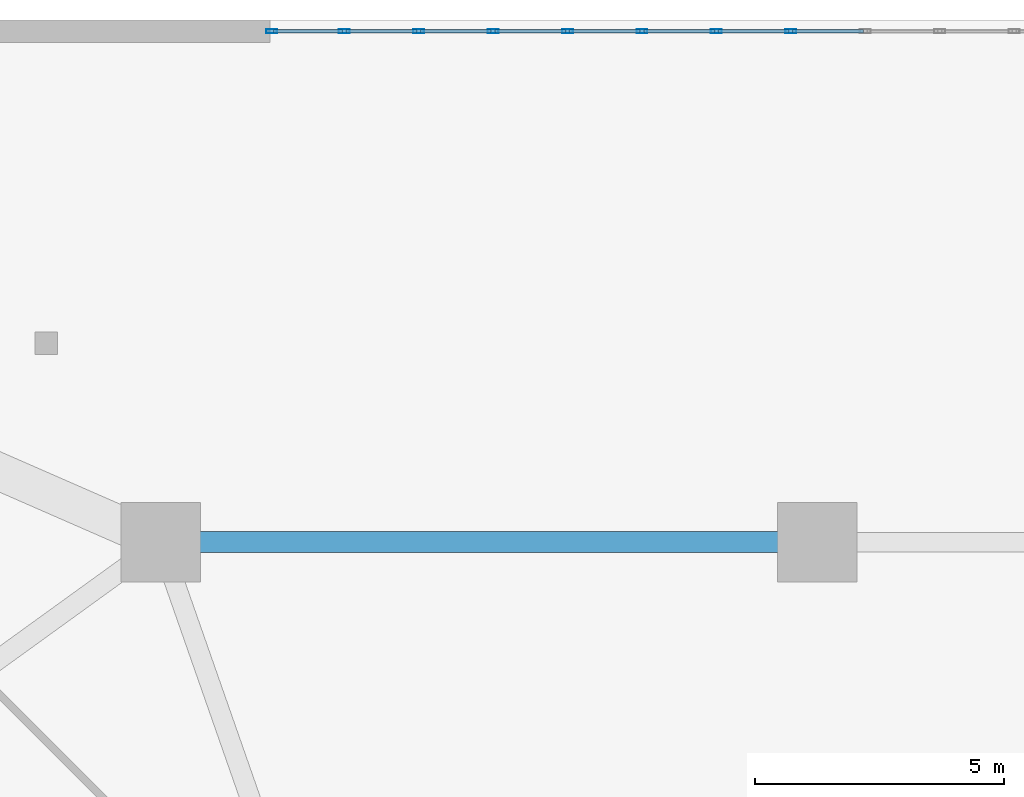
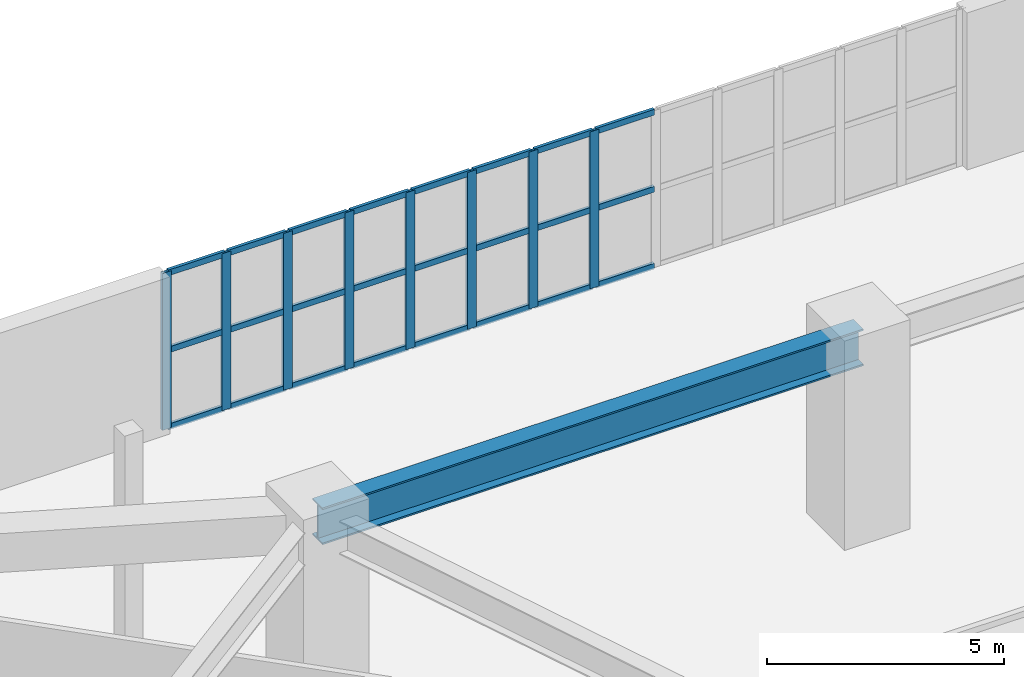
# One storey, part 18 of 34: 32 members, 1 beam, 1 element without a shape of its own.
"""IFC4 building model written with IfcOpenShell, lengths in metres."""

from ifc_helpers import new_model, si_unit, direction, frame, origin, origin_2d, place, context, subcontext, project, spatial, hollow_rectangle, i_section, extrude, material, layer, layer_set, material_profile, profile_set, type_object, element, aggregate, save


model = new_model("IFC4")

# Units and contexts
model_context = context("Model", 3, precision=1e-05, world=origin(), true_north=direction((0.0, 1.0)))
body_context = subcontext(model_context, "Body", "Model", "MODEL_VIEW")
ifc_project = project(units=[si_unit("LENGTHUNIT", "METRE"), si_unit("AREAUNIT", "SQUARE_METRE"), si_unit("VOLUMEUNIT", "CUBIC_METRE"), si_unit("PLANEANGLEUNIT", "RADIAN"), si_unit("MASSUNIT", "GRAM", prefix="KILO")], contexts=[model_context])

# Site, building, storey
site_placement = place(None, origin())
site = spatial("IfcSite", under=ifc_project, at=site_placement, CompositionType="ELEMENT")
building_placement = place(site_placement, origin())
building = spatial("IfcBuilding", under=site, at=building_placement, Name="Kilnhurst Terrace Hotel", CompositionType="ELEMENT")
storey_placement = place(building_placement, frame((0.0, 0.0, 6.0)))
storey = spatial("IfcBuildingStorey", under=building, at=storey_placement, Name="L01", CompositionType="ELEMENT", Elevation=6.0)

# Beam
ifc_material_1 = material(Name="Steel ASTM A992 Grade 50", Category="steel")
ifc_material_profile_1 = material_profile(ifc_material_1, i_section(OverallWidth=0.423095703125, OverallDepth=0.9482421875, WebThickness=0.02392578125, FlangeThickness=0.042724609375, at=origin_2d()), Name="W36X302")
ifc_profile_set_1 = profile_set([ifc_material_profile_1], Name="Steel ASTM A992 Grade 50")
beam_type = type_object("IfcBeamType", Name="BM-STL-W36X302", PredefinedType="BEAM", material=ifc_profile_set_1)
beam_placement = place(storey_placement, frame((-13.199951171875, 19.5, 4.60595703125), z_axis=(1.0, 0.0, 0.0), x_axis=(0.0, 1.0, 0.0)))
element("IfcBeam", 1, at=beam_placement, inside=storey, type_object=beam_type, Name="L01 Podium Frame Beam 4", PredefinedType="BEAM", context=body_context, shape_type="SweptSolid", body=[
    extrude(i_section(OverallWidth=0.423095703125, OverallDepth=0.9482421875, WebThickness=0.02392578125, FlangeThickness=0.042724609375, at=origin_2d()), origin(), (0.0, 0.0, 1.0), 13.199951171875),
])

# Curtain wall, members
ifc_material_2 = material(Name="Anodized Aluminium Alloy 6063-T6 and Low-E Glass", Category="aluminium")
ifc_layer = layer(ifc_material_2, 0.219970703125, Name="Anodized Aluminium Alloy 6063-T6 and Low-E Glass")
ifc_layer_set = layer_set([ifc_layer], Name="Anodized Aluminium Alloy 6063-T6 and Low-E Glass")
curtain_wall_type = type_object("IfcCurtainWallType", Name="CW-POD-LOBBY", PredefinedType="NOTDEFINED", material=ifc_layer_set)
curtain_wall_placement = place(storey_placement, origin())
curtain_wall = element("IfcCurtainWall", 2, at=curtain_wall_placement, inside=storey, type_object=curtain_wall_type, Name="L01 Curtain Wall CW-L01-F4-1", PredefinedType="NOTDEFINED")
ifc_material_3 = material(Name="Extruded Aluminium Alloy 6063-T6", Category="aluminium")
ifc_material_profile_2 = material_profile(ifc_material_3, hollow_rectangle(XDim=0.074951171875, YDim=0.219970703125, WallThickness=0.00390625, at=origin_2d()), Name="CWM75X220")
ifc_profile_set_2 = profile_set([ifc_material_profile_2], Name="Extruded Aluminium Alloy 6063-T6")
member_type_1 = type_object("IfcMemberType", Name="MEM-CWM75X220", PredefinedType="MULLION", material=ifc_profile_set_2)
member_1_placement = place(storey_placement, frame((-0.52734375, 29.77490234375, 0.0), z_axis=(0.0, 0.0, 1.0), x_axis=(0.0, -1.0, 0.0)))
member_1 = element("IfcMember", 3, at=member_1_placement, type_object=member_type_1, Name="CWL-1 mullion 7", PredefinedType="MULLION", context=body_context, shape_type="SweptSolid", body=[
    extrude(hollow_rectangle(XDim=0.074951171875, YDim=0.219970703125, WallThickness=0.00390625, at=origin_2d()), origin(), (0.0, 0.0, 1.0), 4.050048828125),
])
member_2_placement = place(storey_placement, frame((-2.02392578125, 29.77490234375, 0.0), z_axis=(0.0, 0.0, 1.0), x_axis=(0.0, -1.0, 0.0)))
member_2 = element("IfcMember", 4, at=member_2_placement, type_object=member_type_1, Name="CWL-1 mullion 8", PredefinedType="MULLION", context=body_context, shape_type="SweptSolid", body=[
    extrude(hollow_rectangle(XDim=0.074951171875, YDim=0.219970703125, WallThickness=0.00390625, at=origin_2d()), origin(), (0.0, 0.0, 1.0), 4.050048828125),
])
member_3_placement = place(storey_placement, frame((-3.520751953125, 29.77490234375, 0.0), z_axis=(0.0, 0.0, 1.0), x_axis=(0.0, -1.0, 0.0)))
member_3 = element("IfcMember", 5, at=member_3_placement, type_object=member_type_1, Name="CWL-1 mullion 9", PredefinedType="MULLION", context=body_context, shape_type="SweptSolid", body=[
    extrude(hollow_rectangle(XDim=0.074951171875, YDim=0.219970703125, WallThickness=0.00390625, at=origin_2d()), origin(), (0.0, 0.0, 1.0), 4.050048828125),
])
member_4_placement = place(storey_placement, frame((-5.017333984375, 29.77490234375, 0.0), z_axis=(0.0, 0.0, 1.0), x_axis=(0.0, -1.0, 0.0)))
member_4 = element("IfcMember", 6, at=member_4_placement, type_object=member_type_1, Name="CWL-1 mullion 10", PredefinedType="MULLION", context=body_context, shape_type="SweptSolid", body=[
    extrude(hollow_rectangle(XDim=0.074951171875, YDim=0.219970703125, WallThickness=0.00390625, at=origin_2d()), origin(), (0.0, 0.0, 1.0), 4.050048828125),
])
member_5_placement = place(storey_placement, frame((-6.513916015625, 29.77490234375, 0.0), z_axis=(0.0, 0.0, 1.0), x_axis=(0.0, -1.0, 0.0)))
member_5 = element("IfcMember", 7, at=member_5_placement, type_object=member_type_1, Name="CWL-1 mullion 11", PredefinedType="MULLION", context=body_context, shape_type="SweptSolid", body=[
    extrude(hollow_rectangle(XDim=0.074951171875, YDim=0.219970703125, WallThickness=0.00390625, at=origin_2d()), origin(), (0.0, 0.0, 1.0), 4.050048828125),
])
member_6_placement = place(storey_placement, frame((-8.0107421875, 29.77490234375, 0.0), z_axis=(0.0, 0.0, 1.0), x_axis=(0.0, -1.0, 0.0)))
member_6 = element("IfcMember", 8, at=member_6_placement, type_object=member_type_1, Name="CWL-1 mullion 12", PredefinedType="MULLION", context=body_context, shape_type="SweptSolid", body=[
    extrude(hollow_rectangle(XDim=0.074951171875, YDim=0.219970703125, WallThickness=0.00390625, at=origin_2d()), origin(), (0.0, 0.0, 1.0), 4.050048828125),
])
member_7_placement = place(storey_placement, frame((-9.50732421875, 29.77490234375, 0.0), z_axis=(0.0, 0.0, 1.0), x_axis=(0.0, -1.0, 0.0)))
member_7 = element("IfcMember", 9, at=member_7_placement, type_object=member_type_1, Name="CWL-1 mullion 13", PredefinedType="MULLION", context=body_context, shape_type="SweptSolid", body=[
    extrude(hollow_rectangle(XDim=0.074951171875, YDim=0.219970703125, WallThickness=0.00390625, at=origin_2d()), origin(), (0.0, 0.0, 1.0), 4.050048828125),
])
member_8_placement = place(storey_placement, frame((-10.966552734375, 29.77490234375, 0.0), z_axis=(0.0, 0.0, 1.0), x_axis=(0.0, -1.0, 0.0)))
member_8 = element("IfcMember", 10, at=member_8_placement, type_object=member_type_1, Name="CWL-1 mullion 14", PredefinedType="MULLION", context=body_context, shape_type="SweptSolid", body=[
    extrude(hollow_rectangle(XDim=0.074951171875, YDim=0.219970703125, WallThickness=0.00390625, at=origin_2d()), origin(), (0.0, 0.0, 1.0), 4.050048828125),
])
ifc_material_profile_3 = material_profile(ifc_material_3, hollow_rectangle(XDim=0.074951171875, YDim=0.14990234375, WallThickness=0.00390625, at=origin_2d()), Name="CWT75X150")
ifc_profile_set_3 = profile_set([ifc_material_profile_3], Name="Extruded Aluminium Alloy 6063-T6")
member_type_2 = type_object("IfcMemberType", Name="MEM-CWT75X150", PredefinedType="USERDEFINED", material=ifc_profile_set_3)
member_9_placement = place(storey_placement, frame((0.931884765625, 29.77490234375, 0.03759765625), z_axis=(-1.0, 0.0, 0.0), x_axis=(0.0, -1.0, 0.0)))
member_9 = element("IfcMember", 11, at=member_9_placement, type_object=member_type_2, Name="CWL-1 transom 6.1", ObjectType="TRANSOM", PredefinedType="USERDEFINED", context=body_context, shape_type="SweptSolid", body=[
    extrude(hollow_rectangle(XDim=0.074951171875, YDim=0.14990234375, WallThickness=0.00390625, at=origin_2d()), origin(), (0.0, 0.0, 1.0), 1.421630859375),
])
member_10_placement = place(storey_placement, frame((0.931884765625, 29.77490234375, 2.02490234375), z_axis=(-1.0, 0.0, 0.0), x_axis=(0.0, -1.0, 0.0)))
member_10 = element("IfcMember", 12, at=member_10_placement, type_object=member_type_2, Name="CWL-1 transom 6.2", ObjectType="TRANSOM", PredefinedType="USERDEFINED", context=body_context, shape_type="SweptSolid", body=[
    extrude(hollow_rectangle(XDim=0.074951171875, YDim=0.14990234375, WallThickness=0.00390625, at=origin_2d()), origin(), (0.0, 0.0, 1.0), 1.421630859375),
])
member_11_placement = place(storey_placement, frame((0.931884765625, 29.77490234375, 4.012451171875), z_axis=(-1.0, 0.0, 0.0), x_axis=(0.0, -1.0, 0.0)))
member_11 = element("IfcMember", 13, at=member_11_placement, type_object=member_type_2, Name="CWL-1 transom 6.3", ObjectType="TRANSOM", PredefinedType="USERDEFINED", context=body_context, shape_type="SweptSolid", body=[
    extrude(hollow_rectangle(XDim=0.074951171875, YDim=0.14990234375, WallThickness=0.00390625, at=origin_2d()), origin(), (0.0, 0.0, 1.0), 1.421630859375),
])
member_12_placement = place(storey_placement, frame((-0.564697265625, 29.77490234375, 0.03759765625), z_axis=(-1.0, 0.0, 0.0), x_axis=(0.0, -1.0, 0.0)))
member_12 = element("IfcMember", 14, at=member_12_placement, type_object=member_type_2, Name="CWL-1 transom 7.1", ObjectType="TRANSOM", PredefinedType="USERDEFINED", context=body_context, shape_type="SweptSolid", body=[
    extrude(hollow_rectangle(XDim=0.074951171875, YDim=0.14990234375, WallThickness=0.00390625, at=origin_2d()), origin(), (0.0, 0.0, 1.0), 1.421630859375),
])
member_13_placement = place(storey_placement, frame((-0.564697265625, 29.77490234375, 2.02490234375), z_axis=(-1.0, 0.0, 0.0), x_axis=(0.0, -1.0, 0.0)))
member_13 = element("IfcMember", 15, at=member_13_placement, type_object=member_type_2, Name="CWL-1 transom 7.2", ObjectType="TRANSOM", PredefinedType="USERDEFINED", context=body_context, shape_type="SweptSolid", body=[
    extrude(hollow_rectangle(XDim=0.074951171875, YDim=0.14990234375, WallThickness=0.00390625, at=origin_2d()), origin(), (0.0, 0.0, 1.0), 1.421630859375),
])
member_14_placement = place(storey_placement, frame((-0.564697265625, 29.77490234375, 4.012451171875), z_axis=(-1.0, 0.0, 0.0), x_axis=(0.0, -1.0, 0.0)))
member_14 = element("IfcMember", 16, at=member_14_placement, type_object=member_type_2, Name="CWL-1 transom 7.3", ObjectType="TRANSOM", PredefinedType="USERDEFINED", context=body_context, shape_type="SweptSolid", body=[
    extrude(hollow_rectangle(XDim=0.074951171875, YDim=0.14990234375, WallThickness=0.00390625, at=origin_2d()), origin(), (0.0, 0.0, 1.0), 1.421630859375),
])
member_15_placement = place(storey_placement, frame((-2.0615234375, 29.77490234375, 0.03759765625), z_axis=(-1.0, 0.0, 0.0), x_axis=(0.0, -1.0, 0.0)))
member_15 = element("IfcMember", 17, at=member_15_placement, type_object=member_type_2, Name="CWL-1 transom 8.1", ObjectType="TRANSOM", PredefinedType="USERDEFINED", context=body_context, shape_type="SweptSolid", body=[
    extrude(hollow_rectangle(XDim=0.074951171875, YDim=0.14990234375, WallThickness=0.00390625, at=origin_2d()), origin(), (0.0, 0.0, 1.0), 1.421630859375),
])
member_16_placement = place(storey_placement, frame((-2.0615234375, 29.77490234375, 2.02490234375), z_axis=(-1.0, 0.0, 0.0), x_axis=(0.0, -1.0, 0.0)))
member_16 = element("IfcMember", 18, at=member_16_placement, type_object=member_type_2, Name="CWL-1 transom 8.2", ObjectType="TRANSOM", PredefinedType="USERDEFINED", context=body_context, shape_type="SweptSolid", body=[
    extrude(hollow_rectangle(XDim=0.074951171875, YDim=0.14990234375, WallThickness=0.00390625, at=origin_2d()), origin(), (0.0, 0.0, 1.0), 1.421630859375),
])
member_17_placement = place(storey_placement, frame((-2.0615234375, 29.77490234375, 4.012451171875), z_axis=(-1.0, 0.0, 0.0), x_axis=(0.0, -1.0, 0.0)))
member_17 = element("IfcMember", 19, at=member_17_placement, type_object=member_type_2, Name="CWL-1 transom 8.3", ObjectType="TRANSOM", PredefinedType="USERDEFINED", context=body_context, shape_type="SweptSolid", body=[
    extrude(hollow_rectangle(XDim=0.074951171875, YDim=0.14990234375, WallThickness=0.00390625, at=origin_2d()), origin(), (0.0, 0.0, 1.0), 1.421630859375),
])
member_18_placement = place(storey_placement, frame((-3.55810546875, 29.77490234375, 0.03759765625), z_axis=(-1.0, 0.0, 0.0), x_axis=(0.0, -1.0, 0.0)))
member_18 = element("IfcMember", 20, at=member_18_placement, type_object=member_type_2, Name="CWL-1 transom 9.1", ObjectType="TRANSOM", PredefinedType="USERDEFINED", context=body_context, shape_type="SweptSolid", body=[
    extrude(hollow_rectangle(XDim=0.074951171875, YDim=0.14990234375, WallThickness=0.00390625, at=origin_2d()), origin(), (0.0, 0.0, 1.0), 1.421630859375),
])
member_19_placement = place(storey_placement, frame((-3.55810546875, 29.77490234375, 2.02490234375), z_axis=(-1.0, 0.0, 0.0), x_axis=(0.0, -1.0, 0.0)))
member_19 = element("IfcMember", 21, at=member_19_placement, type_object=member_type_2, Name="CWL-1 transom 9.2", ObjectType="TRANSOM", PredefinedType="USERDEFINED", context=body_context, shape_type="SweptSolid", body=[
    extrude(hollow_rectangle(XDim=0.074951171875, YDim=0.14990234375, WallThickness=0.00390625, at=origin_2d()), origin(), (0.0, 0.0, 1.0), 1.421630859375),
])
member_20_placement = place(storey_placement, frame((-3.55810546875, 29.77490234375, 4.012451171875), z_axis=(-1.0, 0.0, 0.0), x_axis=(0.0, -1.0, 0.0)))
member_20 = element("IfcMember", 22, at=member_20_placement, type_object=member_type_2, Name="CWL-1 transom 9.3", ObjectType="TRANSOM", PredefinedType="USERDEFINED", context=body_context, shape_type="SweptSolid", body=[
    extrude(hollow_rectangle(XDim=0.074951171875, YDim=0.14990234375, WallThickness=0.00390625, at=origin_2d()), origin(), (0.0, 0.0, 1.0), 1.421630859375),
])
member_21_placement = place(storey_placement, frame((-5.054931640625, 29.77490234375, 0.03759765625), z_axis=(-1.0, 0.0, 0.0), x_axis=(0.0, -1.0, 0.0)))
member_21 = element("IfcMember", 23, at=member_21_placement, type_object=member_type_2, Name="CWL-1 transom 10.1", ObjectType="TRANSOM", PredefinedType="USERDEFINED", context=body_context, shape_type="SweptSolid", body=[
    extrude(hollow_rectangle(XDim=0.074951171875, YDim=0.14990234375, WallThickness=0.00390625, at=origin_2d()), origin(), (0.0, 0.0, 1.0), 1.421630859375),
])
member_22_placement = place(storey_placement, frame((-5.054931640625, 29.77490234375, 2.02490234375), z_axis=(-1.0, 0.0, 0.0), x_axis=(0.0, -1.0, 0.0)))
member_22 = element("IfcMember", 24, at=member_22_placement, type_object=member_type_2, Name="CWL-1 transom 10.2", ObjectType="TRANSOM", PredefinedType="USERDEFINED", context=body_context, shape_type="SweptSolid", body=[
    extrude(hollow_rectangle(XDim=0.074951171875, YDim=0.14990234375, WallThickness=0.00390625, at=origin_2d()), origin(), (0.0, 0.0, 1.0), 1.421630859375),
])
member_23_placement = place(storey_placement, frame((-5.054931640625, 29.77490234375, 4.012451171875), z_axis=(-1.0, 0.0, 0.0), x_axis=(0.0, -1.0, 0.0)))
member_23 = element("IfcMember", 25, at=member_23_placement, type_object=member_type_2, Name="CWL-1 transom 10.3", ObjectType="TRANSOM", PredefinedType="USERDEFINED", context=body_context, shape_type="SweptSolid", body=[
    extrude(hollow_rectangle(XDim=0.074951171875, YDim=0.14990234375, WallThickness=0.00390625, at=origin_2d()), origin(), (0.0, 0.0, 1.0), 1.421630859375),
])
member_24_placement = place(storey_placement, frame((-6.551513671875, 29.77490234375, 0.03759765625), z_axis=(-1.0, 0.0, 0.0), x_axis=(0.0, -1.0, 0.0)))
member_24 = element("IfcMember", 26, at=member_24_placement, type_object=member_type_2, Name="CWL-1 transom 11.1", ObjectType="TRANSOM", PredefinedType="USERDEFINED", context=body_context, shape_type="SweptSolid", body=[
    extrude(hollow_rectangle(XDim=0.074951171875, YDim=0.14990234375, WallThickness=0.00390625, at=origin_2d()), origin(), (0.0, 0.0, 1.0), 1.421630859375),
])
member_25_placement = place(storey_placement, frame((-6.551513671875, 29.77490234375, 2.02490234375), z_axis=(-1.0, 0.0, 0.0), x_axis=(0.0, -1.0, 0.0)))
member_25 = element("IfcMember", 27, at=member_25_placement, type_object=member_type_2, Name="CWL-1 transom 11.2", ObjectType="TRANSOM", PredefinedType="USERDEFINED", context=body_context, shape_type="SweptSolid", body=[
    extrude(hollow_rectangle(XDim=0.074951171875, YDim=0.14990234375, WallThickness=0.00390625, at=origin_2d()), origin(), (0.0, 0.0, 1.0), 1.421630859375),
])
member_26_placement = place(storey_placement, frame((-6.551513671875, 29.77490234375, 4.012451171875), z_axis=(-1.0, 0.0, 0.0), x_axis=(0.0, -1.0, 0.0)))
member_26 = element("IfcMember", 28, at=member_26_placement, type_object=member_type_2, Name="CWL-1 transom 11.3", ObjectType="TRANSOM", PredefinedType="USERDEFINED", context=body_context, shape_type="SweptSolid", body=[
    extrude(hollow_rectangle(XDim=0.074951171875, YDim=0.14990234375, WallThickness=0.00390625, at=origin_2d()), origin(), (0.0, 0.0, 1.0), 1.421630859375),
])
member_27_placement = place(storey_placement, frame((-8.048095703125, 29.77490234375, 0.03759765625), z_axis=(-1.0, 0.0, 0.0), x_axis=(0.0, -1.0, 0.0)))
member_27 = element("IfcMember", 29, at=member_27_placement, type_object=member_type_2, Name="CWL-1 transom 12.1", ObjectType="TRANSOM", PredefinedType="USERDEFINED", context=body_context, shape_type="SweptSolid", body=[
    extrude(hollow_rectangle(XDim=0.074951171875, YDim=0.14990234375, WallThickness=0.00390625, at=origin_2d()), origin(), (0.0, 0.0, 1.0), 1.421875),
])
member_28_placement = place(storey_placement, frame((-8.048095703125, 29.77490234375, 2.02490234375), z_axis=(-1.0, 0.0, 0.0), x_axis=(0.0, -1.0, 0.0)))
member_28 = element("IfcMember", 30, at=member_28_placement, type_object=member_type_2, Name="CWL-1 transom 12.2", ObjectType="TRANSOM", PredefinedType="USERDEFINED", context=body_context, shape_type="SweptSolid", body=[
    extrude(hollow_rectangle(XDim=0.074951171875, YDim=0.14990234375, WallThickness=0.00390625, at=origin_2d()), origin(), (0.0, 0.0, 1.0), 1.421875),
])
member_29_placement = place(storey_placement, frame((-8.048095703125, 29.77490234375, 4.012451171875), z_axis=(-1.0, 0.0, 0.0), x_axis=(0.0, -1.0, 0.0)))
member_29 = element("IfcMember", 31, at=member_29_placement, type_object=member_type_2, Name="CWL-1 transom 12.3", ObjectType="TRANSOM", PredefinedType="USERDEFINED", context=body_context, shape_type="SweptSolid", body=[
    extrude(hollow_rectangle(XDim=0.074951171875, YDim=0.14990234375, WallThickness=0.00390625, at=origin_2d()), origin(), (0.0, 0.0, 1.0), 1.421875),
])
member_30_placement = place(storey_placement, frame((-9.544921875, 29.77490234375, 0.03759765625), z_axis=(-1.0, 0.0, 0.0), x_axis=(0.0, -1.0, 0.0)))
member_30 = element("IfcMember", 32, at=member_30_placement, type_object=member_type_2, Name="CWL-1 transom 13.1", ObjectType="TRANSOM", PredefinedType="USERDEFINED", context=body_context, shape_type="SweptSolid", body=[
    extrude(hollow_rectangle(XDim=0.074951171875, YDim=0.14990234375, WallThickness=0.00390625, at=origin_2d()), origin(), (0.0, 0.0, 1.0), 1.38427734375),
])
member_31_placement = place(storey_placement, frame((-9.544921875, 29.77490234375, 2.02490234375), z_axis=(-1.0, 0.0, 0.0), x_axis=(0.0, -1.0, 0.0)))
member_31 = element("IfcMember", 33, at=member_31_placement, type_object=member_type_2, Name="CWL-1 transom 13.2", ObjectType="TRANSOM", PredefinedType="USERDEFINED", context=body_context, shape_type="SweptSolid", body=[
    extrude(hollow_rectangle(XDim=0.074951171875, YDim=0.14990234375, WallThickness=0.00390625, at=origin_2d()), origin(), (0.0, 0.0, 1.0), 1.38427734375),
])
member_32_placement = place(storey_placement, frame((-9.544921875, 29.77490234375, 4.012451171875), z_axis=(-1.0, 0.0, 0.0), x_axis=(0.0, -1.0, 0.0)))
member_32 = element("IfcMember", 34, at=member_32_placement, type_object=member_type_2, Name="CWL-1 transom 13.3", ObjectType="TRANSOM", PredefinedType="USERDEFINED", context=body_context, shape_type="SweptSolid", body=[
    extrude(hollow_rectangle(XDim=0.074951171875, YDim=0.14990234375, WallThickness=0.00390625, at=origin_2d()), origin(), (0.0, 0.0, 1.0), 1.38427734375),
])
aggregate(curtain_wall, [member_1, member_2, member_3, member_4, member_5, member_6, member_7, member_8, member_9, member_10, member_11, member_12, member_13, member_14, member_15, member_16, member_17, member_18, member_19, member_20, member_21, member_22, member_23, member_24, member_25, member_26, member_27, member_28, member_29, member_30, member_31, member_32])

save(model, "model.ifc")
